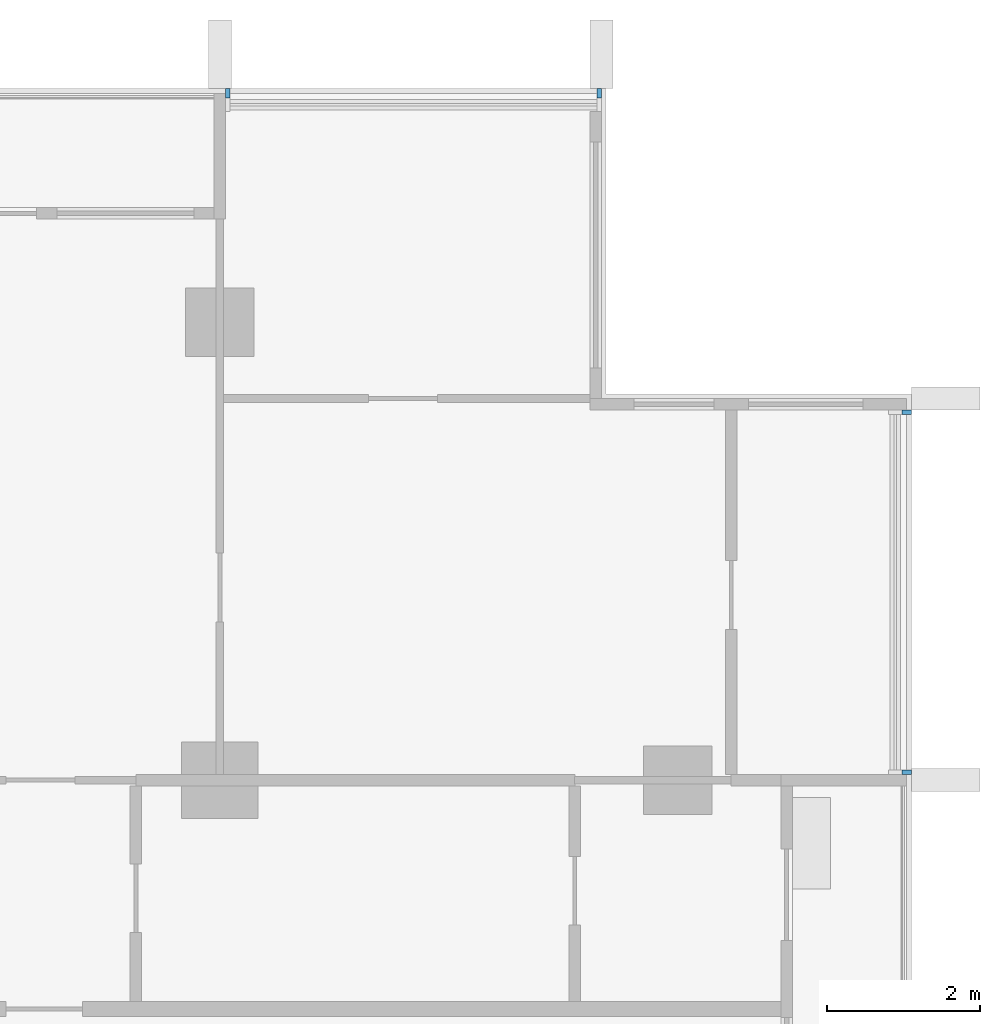
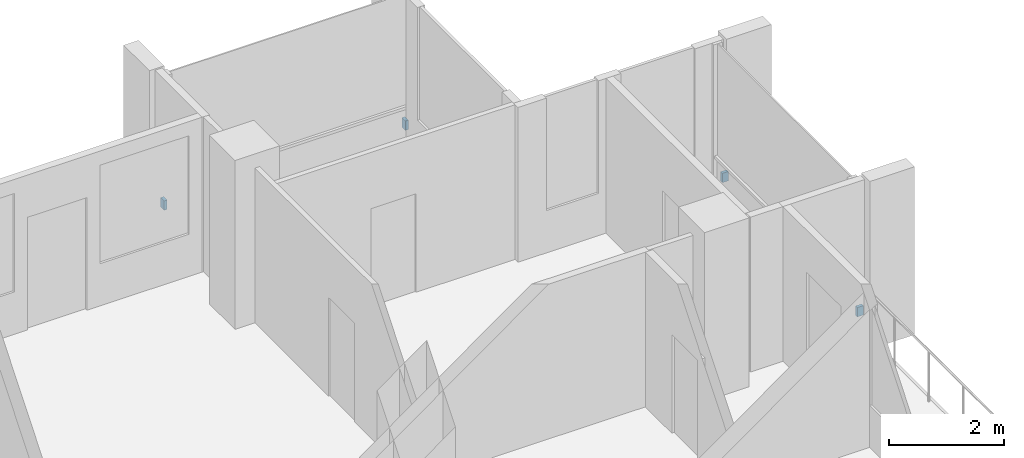
# One storey, part 15 of 16: 4 discrete accessories.
"""IFC4 building model written with IfcOpenShell, lengths in metres."""

from ifc_helpers import new_model, si_unit, direction, frame, origin, origin_2d, place, context, subcontext, project, spatial, rectangle, extrude, material, type_object, element, save


model = new_model("IFC4")

# Units and contexts
model_context = context("Model", 3, precision=1e-05, world=origin(), true_north=direction((0.0, 1.0)))
body_context = subcontext(model_context, "Body", "Model", "MODEL_VIEW")
ifc_project = project(units=[si_unit("LENGTHUNIT", "METRE"), si_unit("AREAUNIT", "SQUARE_METRE"), si_unit("VOLUMEUNIT", "CUBIC_METRE"), si_unit("PLANEANGLEUNIT", "RADIAN"), si_unit("MASSUNIT", "GRAM", prefix="KILO")], contexts=[model_context])

# Site, building, storey
site_placement = place(None, origin())
site = spatial("IfcSite", under=ifc_project, at=site_placement, CompositionType="ELEMENT")
building_placement = place(site_placement, origin())
building = spatial("IfcBuilding", under=site, at=building_placement, Name="Finial Court Residences", CompositionType="ELEMENT")
storey_placement = place(building_placement, frame((0.0, 0.0, 160.10009765625)))
storey = spatial("IfcBuildingStorey", under=building, at=storey_placement, Name="L39", CompositionType="ELEMENT", Elevation=160.10009765625)

# Discrete accessories
ifc_material = material(Name="Stainless steel 316", Category="steel")
discrete_accessory_type = type_object("IfcDiscreteAccessoryType", Name="Fin bracket, stainless steel 60 x 122 x 200", PredefinedType="BRACKET", material=ifc_material)
for number, where, z_axis, x_axis, name in (
    (1, (10.60498046875, 22.498779296875, 0.2998046875), (0.0, 0.0, 1.0), (1.0, 0.0, 0.0), "E-L39-FIN-N5-BRK"),
    (2, (15.469970703125, 22.498779296875, 0.2998046875), (0.0, 0.0, 1.0), (1.0, 0.0, 0.0), "E-L39-FIN-N6-BRK"),
):
    element("IfcDiscreteAccessory", number, at=place(storey_placement, frame(where, z_axis=z_axis, x_axis=x_axis)), inside=storey, type_object=discrete_accessory_type, Name=name, PredefinedType="BRACKET", context=body_context, shape_type="SweptSolid", body=[
        extrude(rectangle(XDim=0.06005859375, YDim=0.12255859375, at=origin_2d()), origin(), (0.0, 0.0, 1.0), 0.199951171875),
    ])
for number, where, z_axis, x_axis, name in (
    (3, (19.498779296875, 13.60498046875, 0.2998046875), (0.0, 0.0, 1.0), (1.0, 0.0, 0.0), "E-L39-FIN-E12-BRK"),
    (4, (19.498779296875, 18.320068359375, 0.2998046875), (0.0, 0.0, 1.0), (1.0, 0.0, 0.0), "E-L39-FIN-E13-BRK"),
):
    element("IfcDiscreteAccessory", number, at=place(storey_placement, frame(where, z_axis=z_axis, x_axis=x_axis)), inside=storey, type_object=discrete_accessory_type, Name=name, PredefinedType="BRACKET", context=body_context, shape_type="SweptSolid", body=[
        extrude(rectangle(XDim=0.12255859375, YDim=0.06005859375, at=origin_2d()), origin(), (0.0, 0.0, 1.0), 0.199951171875),
    ])

save(model, "model.ifc")
